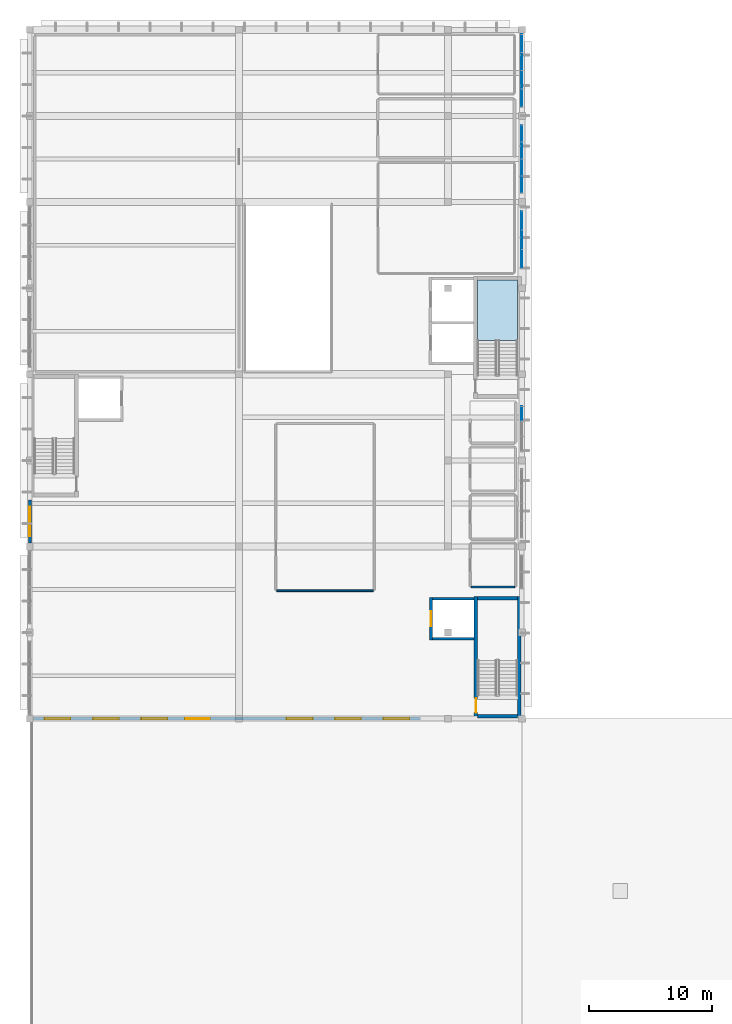
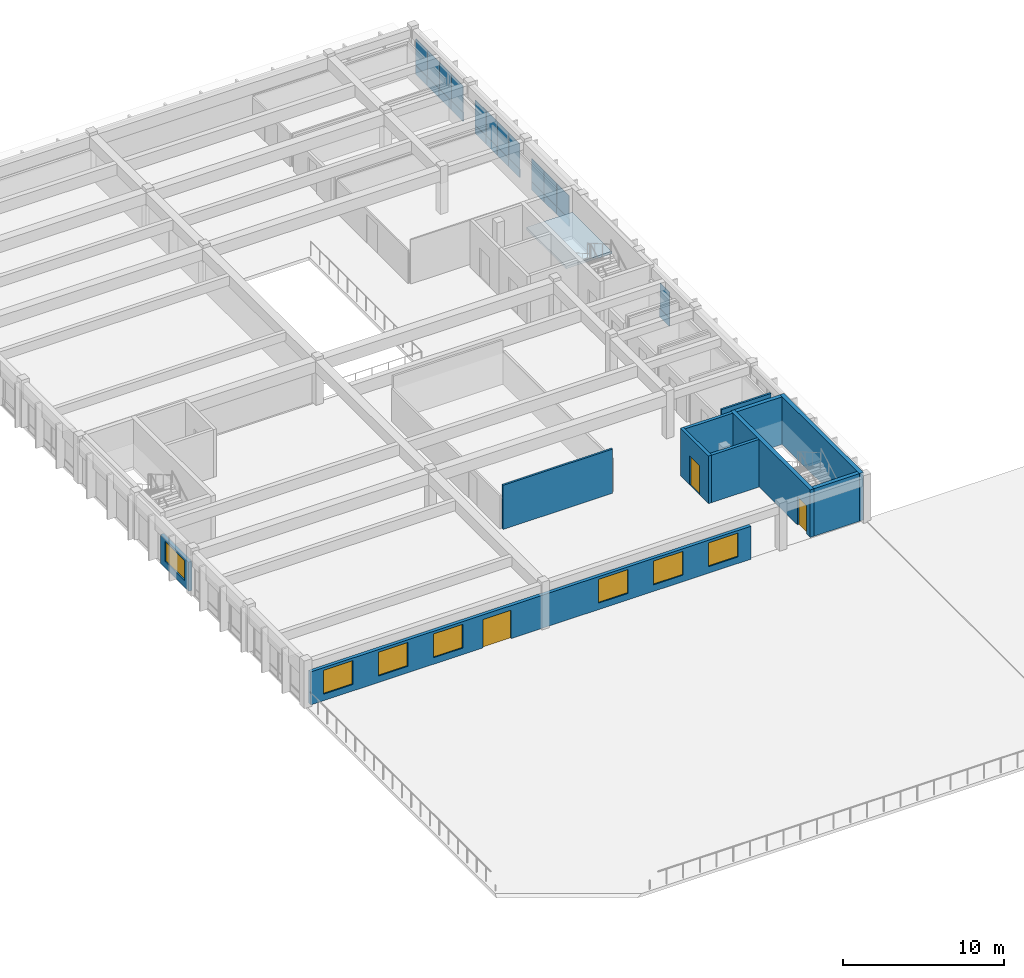
# One storey, part 15 of 23: 24 plates, 11 walls, 7 windows, 3 doors, 1 slab, 10 openings, 5 elements without a shape of their own.
"""IFC4 building model written with IfcOpenShell, lengths in metres."""

from ifc_helpers import new_model, si_unit, direction, frame, frame_2d, origin, origin_2d, place, context, subcontext, project, spatial, polyline, rectangle, outline, extrude, material, layer, layer_set, type_object, element, fill, aggregate, save


model = new_model("IFC4")

# Units and contexts
model_context = context("Model", 3, precision=1e-05, world=origin(), true_north=direction((0.0, 1.0)))
body_context = subcontext(model_context, "Body", "Model", "MODEL_VIEW")
ifc_project = project(units=[si_unit("LENGTHUNIT", "METRE"), si_unit("AREAUNIT", "SQUARE_METRE"), si_unit("VOLUMEUNIT", "CUBIC_METRE"), si_unit("PLANEANGLEUNIT", "RADIAN"), si_unit("MASSUNIT", "GRAM", prefix="KILO")], contexts=[model_context])

# Site, building, storey
site_placement = place(None, origin())
site = spatial("IfcSite", under=ifc_project, at=site_placement, CompositionType="ELEMENT")
building_placement = place(site_placement, origin())
building = spatial("IfcBuilding", under=site, at=building_placement, Name="Larkveld Mobility Hub", CompositionType="ELEMENT")
storey_placement = place(building_placement, frame((0.0, 0.0, 19.199951171875)))
storey = spatial("IfcBuildingStorey", under=building, at=storey_placement, Name="L05", CompositionType="ELEMENT", Elevation=19.199951171875)

# Curtain wall, plates
ifc_material_1 = material(Name="Anodised aluminium 6063-T6", Category="aluminium")
curtain_wall_type_1 = type_object("IfcCurtainWallType", Name="CW-SYS-01", PredefinedType="NOTDEFINED", material=ifc_material_1)
curtain_wall_1_placement = place(storey_placement, origin())
curtain_wall_1 = element("IfcCurtainWall", 1, at=curtain_wall_1_placement, inside=storey, type_object=curtain_wall_type_1, Name="Upper Mobility and Sports East Glazing L05 CW-169", PredefinedType="NOTDEFINED")
ifc_material_2 = material(Name="Low-E laminated solar-control double glazing", Category="glass")
ifc_layer_1 = layer(ifc_material_2, 0.028076171875, Name="Low-E laminated solar-control double glazing", Category="glass")
ifc_layer_set_1 = layer_set([ifc_layer_1], Name="Low-E laminated solar-control double glazing")
plate_type_1 = type_object("IfcPlateType", Name="CW-PNL-GL01", PredefinedType="CURTAIN_PANEL", material=ifc_layer_set_1)
plate_1_placement = place(storey_placement, frame((152.0, 71.422119140625, 0.64013671875), z_axis=(0.0, 0.0, 1.0), x_axis=(0.0, 1.0, 0.0)))
plate_1 = element("IfcPlate", 2, at=plate_1_placement, type_object=plate_type_1, Name="CW01 panel 1", PredefinedType="CURTAIN_PANEL", context=body_context, shape_type="SweptSolid", body=[
    extrude(rectangle(XDim=1.363037109375, YDim=0.028076171875, at=origin_2d()), origin(), (0.0, 0.0, 1.0), 1.887939453125),
])
plate_2_placement = place(storey_placement, frame((152.0, 72.803955078125, 0.64013671875), z_axis=(0.0, 0.0, 1.0), x_axis=(0.0, 1.0, 0.0)))
plate_2 = element("IfcPlate", 3, at=plate_2_placement, type_object=plate_type_1, Name="CW01 panel 2", PredefinedType="CURTAIN_PANEL", context=body_context, shape_type="SweptSolid", body=[
    extrude(rectangle(XDim=1.383056640625, YDim=0.028076171875, at=origin_2d()), origin(), (0.0, 0.0, 1.0), 1.887939453125),
])
plate_3_placement = place(storey_placement, frame((152.0, 74.197021484375, 0.64013671875), z_axis=(0.0, 0.0, 1.0), x_axis=(0.0, 1.0, 0.0)))
plate_3 = element("IfcPlate", 4, at=plate_3_placement, type_object=plate_type_1, Name="CW01 panel 3", PredefinedType="CURTAIN_PANEL", context=body_context, shape_type="SweptSolid", body=[
    extrude(rectangle(XDim=1.383056640625, YDim=0.028076171875, at=origin_2d()), origin(), (0.0, 0.0, 1.0), 1.887939453125),
])
plate_4_placement = place(storey_placement, frame((152.0, 75.5791015625, 0.64013671875), z_axis=(0.0, 0.0, 1.0), x_axis=(0.0, 1.0, 0.0)))
plate_4 = element("IfcPlate", 5, at=plate_4_placement, type_object=plate_type_1, Name="CW01 panel 4", PredefinedType="CURTAIN_PANEL", context=body_context, shape_type="SweptSolid", body=[
    extrude(rectangle(XDim=1.363037109375, YDim=0.028076171875, at=origin_2d()), origin(), (0.0, 0.0, 1.0), 1.887939453125),
])

# Curtain wall, plate
curtain_wall_type_2 = type_object("IfcCurtainWallType", Name="CW-SYS-11", PredefinedType="NOTDEFINED", material=ifc_material_1)
curtain_wall_2_placement = place(storey_placement, origin())
curtain_wall_2 = element("IfcCurtainWall", 6, at=curtain_wall_2_placement, inside=storey, type_object=curtain_wall_type_2, Name="Upper Mobility and Sports East Glazing L05 CW-167", PredefinedType="NOTDEFINED")
ifc_material_3 = material(Name="Acoustic solar-control laminated double glazing", Category="glass")
ifc_layer_2 = layer(ifc_material_3, 0.031982421875, Name="Acoustic solar-control laminated double glazing", Category="glass")
ifc_layer_set_2 = layer_set([ifc_layer_2], Name="Acoustic solar-control laminated double glazing")
plate_type_2 = type_object("IfcPlateType", Name="CW-PNL-GL02", PredefinedType="CURTAIN_PANEL", material=ifc_layer_set_2)
plate_5_placement = place(storey_placement, frame((152.0, 52.79296875, 0.65185546875), z_axis=(0.0, 0.0, 1.0), x_axis=(0.0, 1.0, 0.0)))
plate_5 = element("IfcPlate", 7, at=plate_5_placement, type_object=plate_type_2, Name="CW11 panel 3", PredefinedType="CURTAIN_PANEL", context=body_context, shape_type="SweptSolid", body=[
    extrude(rectangle(XDim=1.205078125, YDim=0.031982421875, at=origin_2d()), origin(), (0.0, 0.0, 1.0), 1.926025390625),
])

# Curtain wall, plates
curtain_wall_type_3 = type_object("IfcCurtainWallType", Name="CW-SYS-02", PredefinedType="NOTDEFINED", material=ifc_material_1)
curtain_wall_3_placement = place(storey_placement, origin())
curtain_wall_3 = element("IfcCurtainWall", 8, at=curtain_wall_3_placement, inside=storey, type_object=curtain_wall_type_3, Name="Upper Mobility and Sports East Glazing L05 CW-170", PredefinedType="NOTDEFINED")
plate_6_placement = place(storey_placement, frame((152.0, 78.467041015625, 0.676513671875), z_axis=(0.0, 0.0, 1.0), x_axis=(0.0, 1.0, 0.0)))
plate_6 = element("IfcPlate", 9, at=plate_6_placement, type_object=plate_type_2, Name="CW02 panel 1", PredefinedType="CURTAIN_PANEL", context=body_context, shape_type="SweptSolid", body=[
    extrude(rectangle(XDim=1.4541015625, YDim=0.031982421875, at=origin_2d()), origin(), (0.0, 0.0, 1.0), 2.0009765625),
])
plate_7_placement = place(storey_placement, frame((152.0, 79.94091796875, 0.676513671875), z_axis=(0.0, 0.0, 1.0), x_axis=(0.0, 1.0, 0.0)))
plate_7 = element("IfcPlate", 10, at=plate_7_placement, type_object=plate_type_2, Name="CW02 panel 2", PredefinedType="CURTAIN_PANEL", context=body_context, shape_type="SweptSolid", body=[
    extrude(rectangle(XDim=1.47412109375, YDim=0.031982421875, at=origin_2d()), origin(), (0.0, 0.0, 1.0), 2.0009765625),
])
plate_8_placement = place(storey_placement, frame((152.0, 81.424072265625, 0.676513671875), z_axis=(0.0, 0.0, 1.0), x_axis=(0.0, 1.0, 0.0)))
plate_8 = element("IfcPlate", 11, at=plate_8_placement, type_object=plate_type_2, Name="CW02 panel 3", PredefinedType="CURTAIN_PANEL", context=body_context, shape_type="SweptSolid", body=[
    extrude(rectangle(XDim=1.47412109375, YDim=0.031982421875, at=origin_2d()), origin(), (0.0, 0.0, 1.0), 2.0009765625),
])
plate_9_placement = place(storey_placement, frame((152.0, 82.89794921875, 0.676513671875), z_axis=(0.0, 0.0, 1.0), x_axis=(0.0, 1.0, 0.0)))
plate_9 = element("IfcPlate", 12, at=plate_9_placement, type_object=plate_type_2, Name="CW02 panel 4", PredefinedType="CURTAIN_PANEL", context=body_context, shape_type="SweptSolid", body=[
    extrude(rectangle(XDim=1.4541015625, YDim=0.031982421875, at=origin_2d()), origin(), (0.0, 0.0, 1.0), 2.0009765625),
])

curtain_wall_type_4 = type_object("IfcCurtainWallType", Name="CW-SYS-12", PredefinedType="NOTDEFINED", material=ifc_material_1)
curtain_wall_4_placement = place(storey_placement, origin())
curtain_wall_4 = element("IfcCurtainWall", 13, at=curtain_wall_4_placement, inside=storey, type_object=curtain_wall_type_4, Name="Upper Mobility and Sports East Glazing L05 CW-168", PredefinedType="NOTDEFINED")
ifc_material_4 = material(Name="Tinted safety double glazing", Category="glass")
ifc_layer_3 = layer(ifc_material_4, 0.035888671875, Name="Tinted safety double glazing", Category="glass")
ifc_layer_set_3 = layer_set([ifc_layer_3], Name="Tinted safety double glazing")
plate_type_3 = type_object("IfcPlateType", Name="CW-PNL-GL03", PredefinedType="CURTAIN_PANEL", material=ifc_layer_set_3)
plate_10_placement = place(storey_placement, frame((152.0, 65.3740234375, 0.58984375), z_axis=(0.0, 0.0, 1.0), x_axis=(0.0, 1.0, 0.0)))
plate_10 = element("IfcPlate", 14, at=plate_10_placement, type_object=plate_type_3, Name="CW12 panel 1", PredefinedType="CURTAIN_PANEL", context=body_context, shape_type="SweptSolid", body=[
    extrude(rectangle(XDim=1.5380859375, YDim=0.035888671875, at=origin_2d()), origin(), (0.0, 0.0, 1.0), 1.738037109375),
])
plate_11_placement = place(storey_placement, frame((152.0, 66.93310546875, 0.58984375), z_axis=(0.0, 0.0, 1.0), x_axis=(0.0, 1.0, 0.0)))
plate_11 = element("IfcPlate", 15, at=plate_11_placement, type_object=plate_type_3, Name="CW12 panel 2", PredefinedType="CURTAIN_PANEL", context=body_context, shape_type="SweptSolid", body=[
    extrude(rectangle(XDim=1.55810546875, YDim=0.035888671875, at=origin_2d()), origin(), (0.0, 0.0, 1.0), 1.738037109375),
])
plate_12_placement = place(storey_placement, frame((152.0, 68.490966796875, 0.58984375), z_axis=(0.0, 0.0, 1.0), x_axis=(0.0, 1.0, 0.0)))
plate_12 = element("IfcPlate", 16, at=plate_12_placement, type_object=plate_type_3, Name="CW12 panel 3", PredefinedType="CURTAIN_PANEL", context=body_context, shape_type="SweptSolid", body=[
    extrude(rectangle(XDim=1.5380859375, YDim=0.035888671875, at=origin_2d()), origin(), (0.0, 0.0, 1.0), 1.738037109375),
])

# Plate
ifc_material_5 = material(Name="Insulated fluoropolymer aluminium spandrel", Category="aluminium")
ifc_layer_4 = layer(ifc_material_5, 0.06494140625, Name="Insulated fluoropolymer aluminium spandrel", Category="aluminium")
ifc_layer_set_4 = layer_set([ifc_layer_4], Name="Insulated fluoropolymer aluminium spandrel")
plate_type_4 = type_object("IfcPlateType", Name="CW-PNL-SP01", PredefinedType="CURTAIN_PANEL", material=ifc_layer_set_4)
plate_13_placement = place(storey_placement, frame((152.0, 52.79296875, 0.0), z_axis=(0.0, 0.0, 1.0), x_axis=(0.0, 1.0, 0.0)))
plate_13 = element("IfcPlate", 17, at=plate_13_placement, type_object=plate_type_4, Name="CW11 spandrel 3", PredefinedType="CURTAIN_PANEL", context=body_context, shape_type="SweptSolid", body=[
    extrude(rectangle(XDim=1.205078125, YDim=0.06494140625, at=origin_2d()), origin(), (0.0, 0.0, 1.0), 0.639892578125),
])

aggregate(curtain_wall_2, [plate_13, plate_5])

plate_14_placement = place(storey_placement, frame((152.0, 71.422119140625, 0.00048828125), z_axis=(0.0, 0.0, 1.0), x_axis=(0.0, 1.0, 0.0)))
plate_14 = element("IfcPlate", 18, at=plate_14_placement, type_object=plate_type_4, Name="CW01 spandrel 1", PredefinedType="CURTAIN_PANEL", context=body_context, shape_type="SweptSolid", body=[
    extrude(rectangle(XDim=1.363037109375, YDim=0.06494140625, at=origin_2d()), origin(), (0.0, 0.0, 1.0), 0.626953125),
])

plate_15_placement = place(storey_placement, frame((152.0, 72.803955078125, 0.00048828125), z_axis=(0.0, 0.0, 1.0), x_axis=(0.0, 1.0, 0.0)))
plate_15 = element("IfcPlate", 19, at=plate_15_placement, type_object=plate_type_4, Name="CW01 spandrel 2", PredefinedType="CURTAIN_PANEL", context=body_context, shape_type="SweptSolid", body=[
    extrude(rectangle(XDim=1.383056640625, YDim=0.06494140625, at=origin_2d()), origin(), (0.0, 0.0, 1.0), 0.626953125),
])

plate_16_placement = place(storey_placement, frame((152.0, 74.197021484375, 0.00048828125), z_axis=(0.0, 0.0, 1.0), x_axis=(0.0, 1.0, 0.0)))
plate_16 = element("IfcPlate", 20, at=plate_16_placement, type_object=plate_type_4, Name="CW01 spandrel 3", PredefinedType="CURTAIN_PANEL", context=body_context, shape_type="SweptSolid", body=[
    extrude(rectangle(XDim=1.383056640625, YDim=0.06494140625, at=origin_2d()), origin(), (0.0, 0.0, 1.0), 0.626953125),
])

plate_17_placement = place(storey_placement, frame((152.0, 75.5791015625, 0.00048828125), z_axis=(0.0, 0.0, 1.0), x_axis=(0.0, 1.0, 0.0)))
plate_17 = element("IfcPlate", 21, at=plate_17_placement, type_object=plate_type_4, Name="CW01 spandrel 4", PredefinedType="CURTAIN_PANEL", context=body_context, shape_type="SweptSolid", body=[
    extrude(rectangle(XDim=1.363037109375, YDim=0.06494140625, at=origin_2d()), origin(), (0.0, 0.0, 1.0), 0.626953125),
])

aggregate(curtain_wall_1, [plate_14, plate_1, plate_15, plate_2, plate_16, plate_3, plate_17, plate_4])

ifc_material_6 = material(Name="Insulated terracotta-toned aluminium spandrel", Category="masonry")
ifc_layer_5 = layer(ifc_material_6, 0.080078125, Name="Insulated terracotta-toned aluminium spandrel", Category="masonry")
ifc_layer_set_5 = layer_set([ifc_layer_5], Name="Insulated terracotta-toned aluminium spandrel")
plate_type_5 = type_object("IfcPlateType", Name="CW-PNL-SP02", PredefinedType="CURTAIN_PANEL", material=ifc_layer_set_5)
plate_18_placement = place(storey_placement, frame((152.0, 65.3740234375, 0.0), z_axis=(0.0, 0.0, 1.0), x_axis=(0.0, 1.0, 0.0)))
plate_18 = element("IfcPlate", 22, at=plate_18_placement, type_object=plate_type_5, Name="CW12 spandrel 1", PredefinedType="CURTAIN_PANEL", context=body_context, shape_type="SweptSolid", body=[
    extrude(rectangle(XDim=1.5380859375, YDim=0.080078125, at=origin_2d()), origin(), (0.0, 0.0, 1.0), 0.577880859375),
])

plate_19_placement = place(storey_placement, frame((152.0, 66.93310546875, 0.0), z_axis=(0.0, 0.0, 1.0), x_axis=(0.0, 1.0, 0.0)))
plate_19 = element("IfcPlate", 23, at=plate_19_placement, type_object=plate_type_5, Name="CW12 spandrel 2", PredefinedType="CURTAIN_PANEL", context=body_context, shape_type="SweptSolid", body=[
    extrude(rectangle(XDim=1.55810546875, YDim=0.080078125, at=origin_2d()), origin(), (0.0, 0.0, 1.0), 0.577880859375),
])

plate_20_placement = place(storey_placement, frame((152.0, 68.490966796875, 0.0), z_axis=(0.0, 0.0, 1.0), x_axis=(0.0, 1.0, 0.0)))
plate_20 = element("IfcPlate", 24, at=plate_20_placement, type_object=plate_type_5, Name="CW12 spandrel 3", PredefinedType="CURTAIN_PANEL", context=body_context, shape_type="SweptSolid", body=[
    extrude(rectangle(XDim=1.5380859375, YDim=0.080078125, at=origin_2d()), origin(), (0.0, 0.0, 1.0), 0.577880859375),
])

aggregate(curtain_wall_4, [plate_18, plate_10, plate_19, plate_11, plate_20, plate_12])

plate_21_placement = place(storey_placement, frame((152.0, 78.467041015625, -0.00048828125), z_axis=(0.0, 0.0, 1.0), x_axis=(0.0, 1.0, 0.0)))
plate_21 = element("IfcPlate", 25, at=plate_21_placement, type_object=plate_type_5, Name="CW02 spandrel 1", PredefinedType="CURTAIN_PANEL", context=body_context, shape_type="SweptSolid", body=[
    extrude(rectangle(XDim=1.4541015625, YDim=0.080078125, at=origin_2d()), origin(), (0.0, 0.0, 1.0), 0.6650390625),
])

plate_22_placement = place(storey_placement, frame((152.0, 79.94091796875, -0.00048828125), z_axis=(0.0, 0.0, 1.0), x_axis=(0.0, 1.0, 0.0)))
plate_22 = element("IfcPlate", 26, at=plate_22_placement, type_object=plate_type_5, Name="CW02 spandrel 2", PredefinedType="CURTAIN_PANEL", context=body_context, shape_type="SweptSolid", body=[
    extrude(rectangle(XDim=1.47412109375, YDim=0.080078125, at=origin_2d()), origin(), (0.0, 0.0, 1.0), 0.6650390625),
])

plate_23_placement = place(storey_placement, frame((152.0, 81.424072265625, -0.00048828125), z_axis=(0.0, 0.0, 1.0), x_axis=(0.0, 1.0, 0.0)))
plate_23 = element("IfcPlate", 27, at=plate_23_placement, type_object=plate_type_5, Name="CW02 spandrel 3", PredefinedType="CURTAIN_PANEL", context=body_context, shape_type="SweptSolid", body=[
    extrude(rectangle(XDim=1.47412109375, YDim=0.080078125, at=origin_2d()), origin(), (0.0, 0.0, 1.0), 0.6650390625),
])

plate_24_placement = place(storey_placement, frame((152.0, 82.89794921875, -0.00048828125), z_axis=(0.0, 0.0, 1.0), x_axis=(0.0, 1.0, 0.0)))
plate_24 = element("IfcPlate", 28, at=plate_24_placement, type_object=plate_type_5, Name="CW02 spandrel 4", PredefinedType="CURTAIN_PANEL", context=body_context, shape_type="SweptSolid", body=[
    extrude(rectangle(XDim=1.4541015625, YDim=0.080078125, at=origin_2d()), origin(), (0.0, 0.0, 1.0), 0.6650390625),
])

aggregate(curtain_wall_3, [plate_21, plate_6, plate_22, plate_7, plate_23, plate_8, plate_24, plate_9])

# Stair, slab
ifc_material_7 = material(Name="Concrete C40/50", Category="concrete")
stair_type = type_object("IfcStairType", Name="ST-HT-02", PredefinedType="HALF_TURN_STAIR", material=ifc_material_7)
stair_placement = place(storey_placement, origin())
stair = element("IfcStair", 29, at=stair_placement, inside=storey, type_object=stair_type, Name="L05 Protected Escape Stair ST2", PredefinedType="HALF_TURN_STAIR")
ifc_layer_6 = layer(ifc_material_7, 0.18505859375, Name="Concrete C40/50", Category="concrete")
ifc_layer_set_6 = layer_set([ifc_layer_6], Name="Concrete C40/50")
slab_type = type_object("IfcSlabType", Name="SL-LND-02", PredefinedType="LANDING", material=ifc_layer_set_6)
slab_placement = place(storey_placement, frame((0.0, 0.0, 1.614990234375)))
slab = element("IfcSlab", 30, at=slab_placement, type_object=slab_type, Name="ST2 landing 1", PredefinedType="LANDING", context=body_context, shape_type="SweptSolid", body=[
    extrude(outline(polyline([(151.64990234375, 58.760009765625), (151.64990234375, 63.64990234375), (148.3798828125, 63.64990234375), (148.3798828125, 58.760009765625), (151.64990234375, 58.760009765625)])), origin(), (0.0, 0.0, 1.0), 0.18505859375),
])
aggregate(stair, [slab])

# Wall, opening, window
ifc_material_8 = material(Name="Glazed architectural ceramic masonry 20 MPa", Category="masonry")
ifc_layer_7 = layer(ifc_material_8, 0.2451171875, Name="Glazed architectural ceramic masonry 20 MPa", Category="masonry")
ifc_layer_set_7 = layer_set([ifc_layer_7], Name="Glazed architectural ceramic masonry 20 MPa")
wall_type_1 = type_object("IfcWallType", Name="WL-COB-245", PredefinedType="USERDEFINED", material=ifc_layer_set_7)
wall_1_placement = place(storey_placement, frame((112.0, 45.77001953125, 0.0), z_axis=(0.0, 0.0, 1.0), x_axis=(0.0, -1.0, 0.0)))
wall_1 = element("IfcWall", 31, at=wall_1_placement, inside=storey, type_object=wall_type_1, Name="EV Wing West Ventilated Facade L05-0242", ObjectType="CERAMIC COBOGO SCREEN", PredefinedType="USERDEFINED", context=body_context, shape_type="SweptSolid", body=[
    extrude(rectangle(XDim=3.485107421875, YDim=0.2451171875, at=frame_2d((1.74267578125, 0.0))), origin(), (0.0, 0.0, 1.0), 2.195068359375),
])
opening_1_placement = place(wall_1_placement, frame((0.54296875, 0.0, 0.4951171875)))
opening_1 = element("IfcOpeningElement", 32, at=opening_1_placement, cuts=wall_1, Name="Opening W09", PredefinedType="OPENING", context=body_context, shape_type="SweptSolid", body=[
    extrude(rectangle(XDim=2.39990234375, YDim=1.5, at=frame_2d((1.199951171875, 0.75))), frame((0.0, 0.132568359375, 0.0), z_axis=(0.0, -1.0, 0.0), x_axis=(1.0, 0.0, 0.0)), (0.0, 0.0, 1.0), 0.26513671875),
])
ifc_material_9 = material(Name="Low-E double glazing in aluminium frame", Category="aluminium")
window_type_1 = type_object("IfcWindowType", Name="WN-ALU-09", PartitioningType="SINGLE_PANEL", PredefinedType="WINDOW", material=ifc_material_9)
window_1_placement = place(opening_1_placement, origin())
window_1 = element("IfcWindow", 33, at=window_1_placement, inside=storey, type_object=window_type_1, Name="Window W09 (1063)", OverallHeight=1.5, OverallWidth=2.39990234375, PartitioningType="SINGLE_PANEL", PredefinedType="WINDOW", context=body_context, shape_type="SweptSolid", body=[
    extrude(rectangle(XDim=2.39990234375, YDim=1.5, at=frame_2d((1.199951171875, 0.75))), frame((0.0, 0.030029296875, 0.0), z_axis=(0.0, -1.0, 0.0), x_axis=(1.0, 0.0, 0.0)), (0.0, 0.0, 1.0), 0.06005859375),
])
fill(opening_1, window_1)

# Wall, opening, door
ifc_layer_8 = layer(ifc_material_7, 0.280029296875, Name="Concrete C40/50", Category="concrete")
ifc_layer_set_8 = layer_set([ifc_layer_8], Name="Concrete C40/50")
wall_type_2 = type_object("IfcWallType", Name="WL-CORE-280", PredefinedType="SHEAR", material=ifc_layer_set_8)
wall_2_placement = place(storey_placement, frame((148.260009765625, 28.070068359375, 0.0), z_axis=(0.0, 0.0, 1.0), x_axis=(0.0, 1.0, 0.0)))
wall_2 = element("IfcWall", 34, at=wall_2_placement, inside=storey, type_object=wall_type_2, Name="Core C1 Stair Shear Wall L05-W", PredefinedType="SHEAR", context=body_context, shape_type="SweptSolid", body=[
    extrude(rectangle(XDim=9.85986328125, YDim=0.280029296875, at=frame_2d((4.929931640625, 0.0))), origin(), (0.0, 0.0, 1.0), 3.60009765625),
])
opening_2_placement = place(wall_2_placement, frame((0.429931640625, 0.0, 0.0)))
opening_2 = element("IfcOpeningElement", 35, at=opening_2_placement, cuts=wall_2, Name="Opening DF01", PredefinedType="OPENING", context=body_context, shape_type="SweptSolid", body=[
    extrude(rectangle(XDim=1.14990234375, YDim=2.14990234375, at=frame_2d((0.574951171875, 1.074951171875))), frame((0.0, 0.14990234375, 0.0), z_axis=(0.0, -1.0, 0.0), x_axis=(1.0, 0.0, 0.0)), (0.0, 0.0, 1.0), 0.300048828125),
])
ifc_material_10 = material(Name="Pressed Steel S355JR fire door assembly", Category="steel")
door_type_1 = type_object("IfcDoorType", Name="DR-FD120", OperationType="NOTDEFINED", PredefinedType="DOOR", material=ifc_material_10)
door_1_placement = place(opening_2_placement, origin())
door_1 = element("IfcDoor", 36, at=door_1_placement, inside=storey, type_object=door_type_1, Name="Stair ST1 Fire Door L05", OperationType="SINGLE_SWING_LEFT", OverallHeight=2.14990234375, OverallWidth=1.14990234375, PredefinedType="DOOR", context=body_context, shape_type="SweptSolid", body=[
    extrude(rectangle(XDim=1.14990234375, YDim=2.14990234375, at=frame_2d((0.574951171875, 1.074951171875))), frame((0.0, 0.02490234375, 0.0), z_axis=(0.0, -1.0, 0.0), x_axis=(1.0, 0.0, 0.0)), (0.0, 0.0, 1.0), 0.050048828125),
])
fill(opening_2, door_1)

# Walls
wall_3_placement = place(storey_placement, frame((151.7900390625, 37.929931640625, 0.0), z_axis=(0.0, 0.0, 1.0), x_axis=(0.0, -1.0, 0.0)))
element("IfcWall", 37, at=wall_3_placement, inside=storey, type_object=wall_type_2, Name="Core C1 Stair Shear Wall L05-E", PredefinedType="SHEAR", context=body_context, shape_type="SweptSolid", body=[
    extrude(rectangle(XDim=9.85986328125, YDim=0.280029296875, at=frame_2d((4.929931640625, 0.0))), origin(), (0.0, 0.0, 1.0), 3.60009765625),
])
for number, where, z_axis, x_axis, name in (
    (38, (151.64990234375, 28.2099609375, 0.0), (0.0, 0.0, 1.0), (-1.0, 0.0, 0.0), "Core C1 Stair Shear Wall L05-S"),
    (39, (148.39990234375, 37.7900390625, 0.0), (0.0, 0.0, 1.0), (1.0, 0.0, 0.0), "Core C1 Stair Shear Wall L05-N"),
):
    element("IfcWall", number, at=place(storey_placement, frame(where, z_axis=z_axis, x_axis=x_axis)), inside=storey, type_object=wall_type_2, Name=name, PredefinedType="SHEAR", context=body_context, shape_type="SweptSolid", body=[
        extrude(rectangle(XDim=3.25, YDim=0.280029296875, at=frame_2d((1.625, 0.0))), origin(), (0.0, 0.0, 1.0), 3.60009765625),
    ])

# Wall, openings, door, windows
ifc_material_11 = material(Name="Precast concrete C50/60", Category="concrete")
ifc_layer_9 = layer(ifc_material_11, 0.239990234375, Name="Precast concrete C50/60", Category="concrete")
ifc_layer_set_9 = layer_set([ifc_layer_9], Name="Precast concrete C50/60")
wall_type_3 = type_object("IfcWallType", Name="WL-EXT-240", PredefinedType="SOLIDWALL", material=ifc_layer_set_9)
wall_4_placement = place(storey_placement, frame((112.284912109375, 28.0, 0.0), z_axis=(0.0, 0.0, 1.0), x_axis=(1.0, 0.0, 0.0)))
wall_4 = element("IfcWall", 40, at=wall_4_placement, inside=storey, type_object=wall_type_3, Name="Rooftop Sports Court Access Wall L05-0247", PredefinedType="SOLIDWALL", context=body_context, shape_type="SweptSolid", body=[
    extrude(rectangle(XDim=31.485107421875, YDim=0.239990234375, at=frame_2d((15.74267578125, 0.0))), origin(), (0.0, 0.0, 1.0), 2.4951171875),
])
opening_3_placement = place(wall_4_placement, frame((12.343017578125, 0.0, 0.0)))
opening_3 = element("IfcOpeningElement", 41, at=opening_3_placement, cuts=wall_4, Name="Opening ED02", PredefinedType="OPENING", context=body_context, shape_type="SweptSolid", body=[
    extrude(rectangle(XDim=2.0, YDim=2.14990234375, at=frame_2d((1.0, 1.074951171875))), frame((0.0, 0.1298828125, 0.0), z_axis=(0.0, -1.0, 0.0), x_axis=(1.0, 0.0, 0.0)), (0.0, 0.0, 1.0), 0.260009765625),
])
opening_4_placement = place(wall_4_placement, frame((0.91796875, 0.0, 0.4951171875)))
opening_4 = element("IfcOpeningElement", 42, at=opening_4_placement, cuts=wall_4, Name="Opening W13", PredefinedType="OPENING", context=body_context, shape_type="SweptSolid", body=[
    extrude(rectangle(XDim=2.10009765625, YDim=1.800048828125, at=frame_2d((1.050048828125, 0.89990234375))), frame((0.0, 0.1298828125, 0.0), z_axis=(0.0, -1.0, 0.0), x_axis=(1.0, 0.0, 0.0)), (0.0, 0.0, 1.0), 0.260009765625),
])
opening_5_placement = place(wall_4_placement, frame((4.85302734375, 0.0, 0.4951171875)))
opening_5 = element("IfcOpeningElement", 43, at=opening_5_placement, cuts=wall_4, Name="Opening W13", PredefinedType="OPENING", context=body_context, shape_type="SweptSolid", body=[
    extrude(rectangle(XDim=2.10009765625, YDim=1.800048828125, at=frame_2d((1.050048828125, 0.89990234375))), frame((0.0, 0.1298828125, 0.0), z_axis=(0.0, -1.0, 0.0), x_axis=(1.0, 0.0, 0.0)), (0.0, 0.0, 1.0), 0.260009765625),
])
opening_6_placement = place(wall_4_placement, frame((8.7890625, 0.0, 0.4951171875)))
opening_6 = element("IfcOpeningElement", 44, at=opening_6_placement, cuts=wall_4, Name="Opening W13", PredefinedType="OPENING", context=body_context, shape_type="SweptSolid", body=[
    extrude(rectangle(XDim=2.10009765625, YDim=1.800048828125, at=frame_2d((1.050048828125, 0.89990234375))), frame((0.0, 0.1298828125, 0.0), z_axis=(0.0, -1.0, 0.0), x_axis=(1.0, 0.0, 0.0)), (0.0, 0.0, 1.0), 0.260009765625),
])
opening_7_placement = place(wall_4_placement, frame((20.595947265625, 0.0, 0.4951171875)))
opening_7 = element("IfcOpeningElement", 45, at=opening_7_placement, cuts=wall_4, Name="Opening W13", PredefinedType="OPENING", context=body_context, shape_type="SweptSolid", body=[
    extrude(rectangle(XDim=2.10009765625, YDim=1.800048828125, at=frame_2d((1.050048828125, 0.89990234375))), frame((0.0, 0.1298828125, 0.0), z_axis=(0.0, -1.0, 0.0), x_axis=(1.0, 0.0, 0.0)), (0.0, 0.0, 1.0), 0.260009765625),
])
opening_8_placement = place(wall_4_placement, frame((24.531982421875, 0.0, 0.4951171875)))
opening_8 = element("IfcOpeningElement", 46, at=opening_8_placement, cuts=wall_4, Name="Opening W13", PredefinedType="OPENING", context=body_context, shape_type="SweptSolid", body=[
    extrude(rectangle(XDim=2.10009765625, YDim=1.800048828125, at=frame_2d((1.050048828125, 0.89990234375))), frame((0.0, 0.1298828125, 0.0), z_axis=(0.0, -1.0, 0.0), x_axis=(1.0, 0.0, 0.0)), (0.0, 0.0, 1.0), 0.260009765625),
])
opening_9_placement = place(wall_4_placement, frame((28.467041015625, 0.0, 0.4951171875)))
opening_9 = element("IfcOpeningElement", 47, at=opening_9_placement, cuts=wall_4, Name="Opening W13", PredefinedType="OPENING", context=body_context, shape_type="SweptSolid", body=[
    extrude(rectangle(XDim=2.10009765625, YDim=1.800048828125, at=frame_2d((1.050048828125, 0.89990234375))), frame((0.0, 0.1298828125, 0.0), z_axis=(0.0, -1.0, 0.0), x_axis=(1.0, 0.0, 0.0)), (0.0, 0.0, 1.0), 0.260009765625),
])
ifc_material_12 = material(Name="Anodised aluminium glazed entrance door", Category="aluminium")
door_type_2 = type_object("IfcDoorType", Name="DR-EXT-DB20", OperationType="DOUBLE_DOOR_SINGLE_SWING", PredefinedType="DOOR", material=ifc_material_12)
door_2_placement = place(opening_3_placement, origin())
door_2 = element("IfcDoor", 48, at=door_2_placement, inside=storey, type_object=door_type_2, Name="Rooftop Sports Court Players Door EDR-L05-029", OperationType="DOUBLE_DOOR_SINGLE_SWING", OverallHeight=2.14990234375, OverallWidth=2.0, PredefinedType="DOOR", context=body_context, shape_type="SweptSolid", body=[
    extrude(rectangle(XDim=2.0, YDim=2.14990234375, at=frame_2d((1.0, 1.074951171875))), frame((0.0, 0.02490234375, 0.0), z_axis=(0.0, -1.0, 0.0), x_axis=(1.0, 0.0, 0.0)), (0.0, 0.0, 1.0), 0.050048828125),
])
fill(opening_3, door_2)
window_type_2 = type_object("IfcWindowType", Name="WN-ALU-13", PartitioningType="SINGLE_PANEL", PredefinedType="WINDOW", material=ifc_material_9)
window_2_placement = place(opening_4_placement, origin())
window_2 = element("IfcWindow", 49, at=window_2_placement, inside=storey, type_object=window_type_2, Name="Window W13 (1074)", OverallHeight=1.800048828125, OverallWidth=2.10009765625, PartitioningType="SINGLE_PANEL", PredefinedType="WINDOW", context=body_context, shape_type="SweptSolid", body=[
    extrude(rectangle(XDim=2.10009765625, YDim=1.800048828125, at=frame_2d((1.050048828125, 0.89990234375))), frame((0.0, 0.030029296875, 0.0), z_axis=(0.0, -1.0, 0.0), x_axis=(1.0, 0.0, 0.0)), (0.0, 0.0, 1.0), 0.06005859375),
])
fill(opening_4, window_2)
window_3_placement = place(opening_5_placement, origin())
window_3 = element("IfcWindow", 50, at=window_3_placement, inside=storey, type_object=window_type_2, Name="Window W13 (1075)", OverallHeight=1.800048828125, OverallWidth=2.10009765625, PartitioningType="SINGLE_PANEL", PredefinedType="WINDOW", context=body_context, shape_type="SweptSolid", body=[
    extrude(rectangle(XDim=2.10009765625, YDim=1.800048828125, at=frame_2d((1.050048828125, 0.89990234375))), frame((0.0, 0.030029296875, 0.0), z_axis=(0.0, -1.0, 0.0), x_axis=(1.0, 0.0, 0.0)), (0.0, 0.0, 1.0), 0.06005859375),
])
fill(opening_5, window_3)
window_4_placement = place(opening_6_placement, origin())
window_4 = element("IfcWindow", 51, at=window_4_placement, inside=storey, type_object=window_type_2, Name="Window W13 (1076)", OverallHeight=1.800048828125, OverallWidth=2.10009765625, PartitioningType="SINGLE_PANEL", PredefinedType="WINDOW", context=body_context, shape_type="SweptSolid", body=[
    extrude(rectangle(XDim=2.10009765625, YDim=1.800048828125, at=frame_2d((1.050048828125, 0.89990234375))), frame((0.0, 0.030029296875, 0.0), z_axis=(0.0, -1.0, 0.0), x_axis=(1.0, 0.0, 0.0)), (0.0, 0.0, 1.0), 0.06005859375),
])
fill(opening_6, window_4)
window_5_placement = place(opening_7_placement, origin())
window_5 = element("IfcWindow", 52, at=window_5_placement, inside=storey, type_object=window_type_2, Name="Window W13 (1077)", OverallHeight=1.800048828125, OverallWidth=2.10009765625, PartitioningType="SINGLE_PANEL", PredefinedType="WINDOW", context=body_context, shape_type="SweptSolid", body=[
    extrude(rectangle(XDim=2.10009765625, YDim=1.800048828125, at=frame_2d((1.050048828125, 0.89990234375))), frame((0.0, 0.030029296875, 0.0), z_axis=(0.0, -1.0, 0.0), x_axis=(1.0, 0.0, 0.0)), (0.0, 0.0, 1.0), 0.06005859375),
])
fill(opening_7, window_5)
window_6_placement = place(opening_8_placement, origin())
window_6 = element("IfcWindow", 53, at=window_6_placement, inside=storey, type_object=window_type_2, Name="Window W13 (1078)", OverallHeight=1.800048828125, OverallWidth=2.10009765625, PartitioningType="SINGLE_PANEL", PredefinedType="WINDOW", context=body_context, shape_type="SweptSolid", body=[
    extrude(rectangle(XDim=2.10009765625, YDim=1.800048828125, at=frame_2d((1.050048828125, 0.89990234375))), frame((0.0, 0.030029296875, 0.0), z_axis=(0.0, -1.0, 0.0), x_axis=(1.0, 0.0, 0.0)), (0.0, 0.0, 1.0), 0.06005859375),
])
fill(opening_8, window_6)
window_7_placement = place(opening_9_placement, origin())
window_7 = element("IfcWindow", 54, at=window_7_placement, inside=storey, type_object=window_type_2, Name="Window W13 (1079)", OverallHeight=1.800048828125, OverallWidth=2.10009765625, PartitioningType="SINGLE_PANEL", PredefinedType="WINDOW", context=body_context, shape_type="SweptSolid", body=[
    extrude(rectangle(XDim=2.10009765625, YDim=1.800048828125, at=frame_2d((1.050048828125, 0.89990234375))), frame((0.0, 0.030029296875, 0.0), z_axis=(0.0, -1.0, 0.0), x_axis=(1.0, 0.0, 0.0)), (0.0, 0.0, 1.0), 0.06005859375),
])
fill(opening_9, window_7)

# Walls
ifc_material_13 = material(Name="Concrete blockwork masonry 14 MPa", Category="masonry")
ifc_layer_10 = layer(ifc_material_13, 0.139892578125, Name="Concrete blockwork masonry 14 MPa", Category="masonry")
ifc_layer_set_10 = layer_set([ifc_layer_10], Name="Concrete blockwork masonry 14 MPa")
wall_type_4 = type_object("IfcWallType", Name="WL-PRT-140", PredefinedType="PARTITIONING", material=ifc_layer_set_10)
wall_5_placement = place(storey_placement, frame((147.8798828125, 38.699951171875, 0.0), z_axis=(0.0, 0.0, 1.0), x_axis=(1.0, 0.0, 0.0)))
element("IfcWall", 55, at=wall_5_placement, inside=storey, type_object=wall_type_4, Name="Male Public Toilet Partition 0240", PredefinedType="PARTITIONING", context=body_context, shape_type="SweptSolid", body=[
    extrude(rectangle(XDim=3.5341796875, YDim=0.139892578125, at=frame_2d((1.76708984375, 0.0))), origin(), (0.0, 0.0, 1.0), 3.344970703125),
])
wall_6_placement = place(storey_placement, frame((132.080078125, 38.39990234375, 0.0), z_axis=(0.0, 0.0, 1.0), x_axis=(1.0, 0.0, 0.0)))
element("IfcWall", 56, at=wall_6_placement, inside=storey, type_object=wall_type_4, Name="Sports Equipment Rental Shop Partition 0255", PredefinedType="PARTITIONING", context=body_context, shape_type="SweptSolid", body=[
    extrude(rectangle(XDim=7.83984375, YDim=0.139892578125, at=frame_2d((3.919921875, 0.0))), origin(), (0.0, 0.0, 1.0), 3.344970703125),
])

# Wall, opening, door
ifc_layer_11 = layer(ifc_material_7, 0.219970703125, Name="Concrete C40/50", Category="concrete")
ifc_layer_set_11 = layer_set([ifc_layer_11], Name="Concrete C40/50")
wall_type_5 = type_object("IfcWallType", Name="WL-SHF-220", PredefinedType="SHEAR", material=ifc_layer_set_11)
wall_7_placement = place(storey_placement, frame((144.610107421875, 34.3798828125, 0.0), z_axis=(0.0, 0.0, 1.0), x_axis=(0.0, 1.0, 0.0)))
wall_7 = element("IfcWall", 57, at=wall_7_placement, inside=storey, type_object=wall_type_5, Name="Lift FL1 Shaft Wall L05-W", PredefinedType="SHEAR", context=body_context, shape_type="SweptSolid", body=[
    extrude(rectangle(XDim=3.490234375, YDim=0.219970703125, at=frame_2d((1.7451171875, 0.0))), origin(), (0.0, 0.0, 1.0), 3.60009765625),
])
opening_10_placement = place(wall_7_placement, frame((1.14501953125, 0.0, 0.0)))
opening_10 = element("IfcOpeningElement", 58, at=opening_10_placement, cuts=wall_7, Name="Opening LD02", PredefinedType="OPENING", context=body_context, shape_type="SweptSolid", body=[
    extrude(rectangle(XDim=1.199951171875, YDim=2.199951171875, at=frame_2d((0.60009765625, 1.10009765625))), frame((0.0, 0.1201171875, 0.0), z_axis=(0.0, -1.0, 0.0), x_axis=(1.0, 0.0, 0.0)), (0.0, 0.0, 1.0), 0.239990234375),
])
ifc_material_14 = material(Name="Brushed stainless Steel S355JR sliding landing door", Category="steel")
door_type_3 = type_object("IfcDoorType", Name="DR-LD-120", OperationType="DOUBLE_DOOR_SLIDING", PredefinedType="DOOR", material=ifc_material_14)
door_3_placement = place(opening_10_placement, origin())
door_3 = element("IfcDoor", 59, at=door_3_placement, inside=storey, type_object=door_type_3, Name="Lift landing door FL1-L05", OperationType="DOUBLE_DOOR_SLIDING", OverallHeight=2.199951171875, OverallWidth=1.199951171875, PredefinedType="DOOR", context=body_context, shape_type="SweptSolid", body=[
    extrude(rectangle(XDim=1.199951171875, YDim=2.199951171875, at=frame_2d((0.60009765625, 1.10009765625))), frame((0.0, 0.02490234375, 0.0), z_axis=(0.0, -1.0, 0.0), x_axis=(1.0, 0.0, 0.0)), (0.0, 0.0, 1.0), 0.050048828125),
])
fill(opening_10, door_3)

# Walls
for number, where, z_axis, x_axis, name in (
    (60, (148.1201171875, 34.489990234375, 0.0), (0.0, 0.0, 1.0), (-1.0, 0.0, 0.0), "Lift FL1 Shaft Wall L05-S"),
    (61, (144.719970703125, 37.760009765625, 0.0), (0.0, 0.0, 1.0), (1.0, 0.0, 0.0), "Lift FL1 Shaft Wall L05-N"),
):
    element("IfcWall", number, at=place(storey_placement, frame(where, z_axis=z_axis, x_axis=x_axis)), inside=storey, type_object=wall_type_5, Name=name, PredefinedType="SHEAR", context=body_context, shape_type="SweptSolid", body=[
        extrude(rectangle(XDim=3.400146484375, YDim=0.219970703125, at=frame_2d((1.7001953125, 0.0))), origin(), (0.0, 0.0, 1.0), 3.60009765625),
    ])

save(model, "model.ifc")
